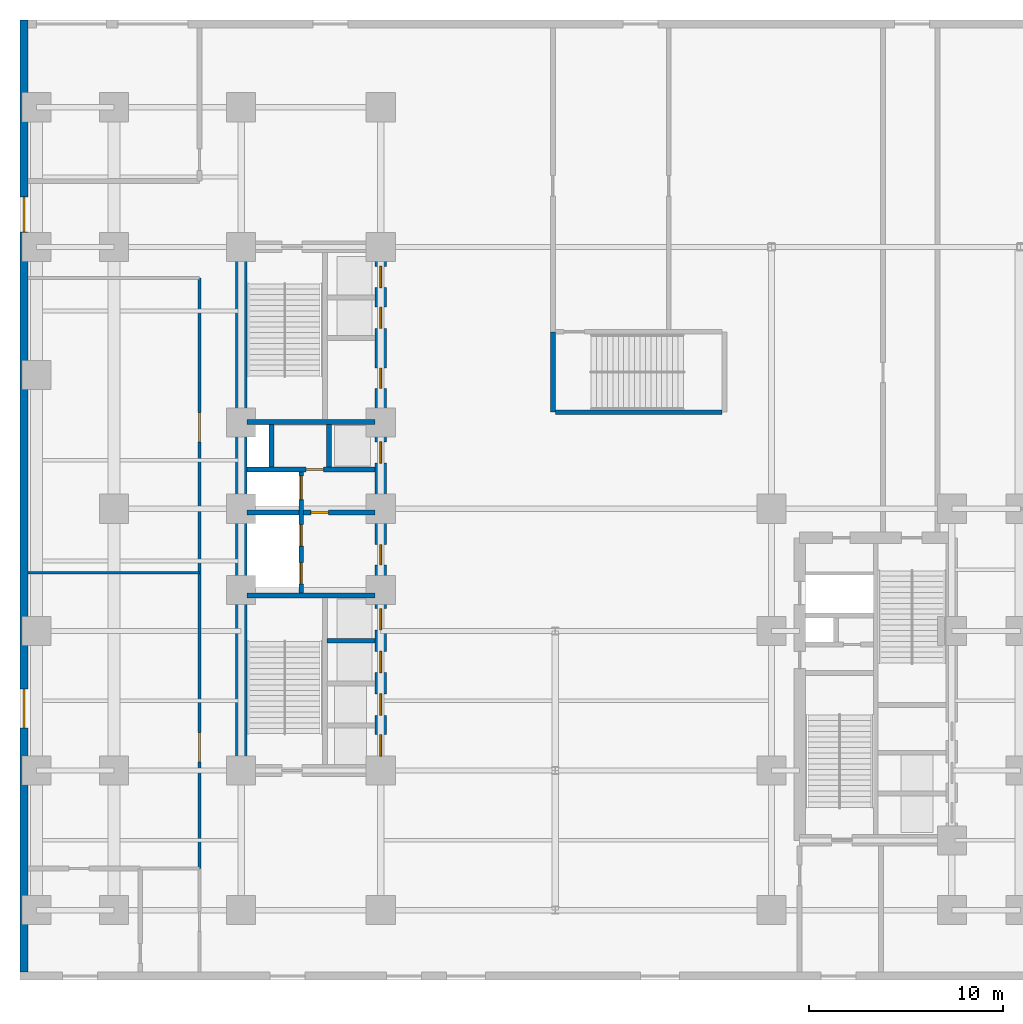
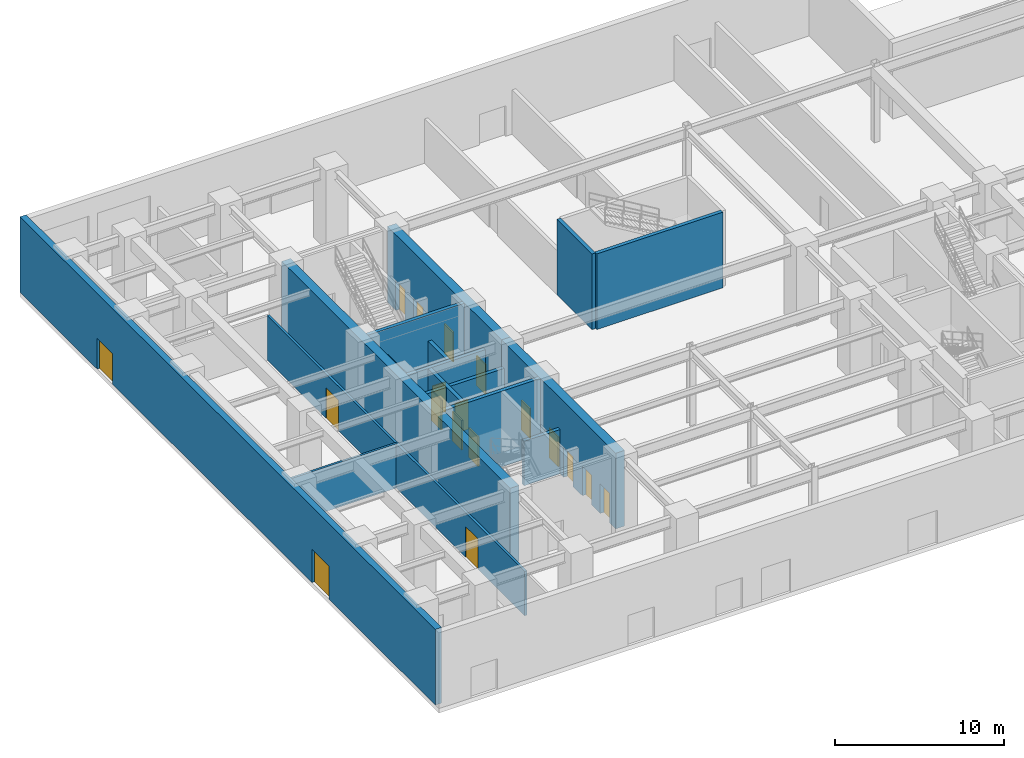
# One storey, part 10 of 18: 18 doors, 16 walls, 18 openings.
"""IFC4 building model written with IfcOpenShell, lengths in metres."""

from ifc_helpers import new_model, entity, si_unit, converted_unit, direction, frame, origin_with_axes, origin_2d_with_axis, place, context, subcontext, project, spatial, polyline, rectangle, outline, extrude, material, layer, layer_set, type_object, element, fill, save


model = new_model("IFC4")

# Units and contexts
model_context = context("Model", 3, precision=1e-05, world=origin_with_axes(), true_north=direction((0.0, 1.0)))
body_context = subcontext(model_context, "Body", "Model", "MODEL_VIEW")
ifc_project = project(units=[si_unit("LENGTHUNIT", "METRE"), si_unit("AREAUNIT", "SQUARE_METRE"), si_unit("VOLUMEUNIT", "CUBIC_METRE"), converted_unit("PLANEANGLEUNIT", "DEGREE", entity("IfcPlaneAngleMeasure", 0.017453292519943295), si_unit("PLANEANGLEUNIT", "RADIAN"), dimensions=[0, 0, 0, 0, 0, 0, 0]), si_unit("MASSUNIT", "GRAM", prefix="KILO"), si_unit("THERMODYNAMICTEMPERATUREUNIT", "KELVIN")], contexts=[model_context])

# Site, building, storey
site_placement = place(None, origin_with_axes())
site = spatial("IfcSite", under=ifc_project, at=site_placement, CompositionType="ELEMENT")
building_placement = place(site_placement, origin_with_axes())
building = spatial("IfcBuilding", under=site, at=building_placement, Name="Varnlund Millrace Tower", CompositionType="ELEMENT")
storey_placement = place(building_placement, origin_with_axes())
storey = spatial("IfcBuildingStorey", under=building, at=storey_placement, Name="L00", CompositionType="ELEMENT", Elevation=0.0)

# Wall
ifc_material_1 = material(Name="Concrete C80/95", Category="concrete")
ifc_layer_1 = layer(ifc_material_1, 0.6, Name="Concrete C80/95")
ifc_layer_set_1 = layer_set([ifc_layer_1], Name="Concrete C80/95")
wall_type_1 = type_object("IfcWallType", Name="Type-CoreWall-Shear-600-C80", PredefinedType="SHEAR", material=ifc_layer_set_1)
wall_1_placement = place(storey_placement, frame((11.4, 10.8, 0.0), z_axis=(0.0, 0.0, 1.0), x_axis=(0.0, 1.0, 0.0)))
element("IfcWall", 1, at=wall_1_placement, inside=storey, type_object=wall_type_1, Name="Type-CoreWall-Shear-600-C80", PredefinedType="SHEAR", context=body_context, shape_type="SweptSolid", body=[
    extrude(outline(polyline([(0.0, -0.3), (27.0, -0.3), (27.0, 0.3), (0.0, 0.3), (0.0, -0.3)])), origin_with_axes(), (0.0, 0.0, 1.0), 5.46),
])

# Wall, openings, doors
wall_2_placement = place(storey_placement, frame((18.6, 10.8, 0.0), z_axis=(0.0, 0.0, 1.0), x_axis=(0.0, 1.0, 0.0)))
wall_2 = element("IfcWall", 2, at=wall_2_placement, inside=storey, type_object=wall_type_1, Name="Type-CoreWall-Shear-600-C80", PredefinedType="SHEAR", context=body_context, shape_type="SweptSolid", body=[
    extrude(outline(polyline([(0.0, -0.3), (13.5, -0.3), (13.5, 0.3), (0.0, 0.3), (0.0, -0.3)])), origin_with_axes(), (0.0, 0.0, 1.0), 5.46),
])
opening_1_placement = place(wall_2_placement, frame((1.3, 0.0, 0.0), z_axis=(0.0, 0.0, 1.0), x_axis=(1.0, 0.0, 0.0)))
opening_1 = element("IfcOpeningElement", 3, at=opening_1_placement, cuts=wall_2, Name="Opening L00:LD-ELV-L1", PredefinedType="OPENING", context=body_context, shape_type="SweptSolid", body=[
    extrude(rectangle(XDim=1.1, YDim=0.62, at=origin_2d_with_axis()), origin_with_axes(), (0.0, 0.0, 1.0), 2.15),
])
opening_2_placement = place(wall_2_placement, frame((3.4, 0.0, 0.0), z_axis=(0.0, 0.0, 1.0), x_axis=(1.0, 0.0, 0.0)))
opening_2 = element("IfcOpeningElement", 4, at=opening_2_placement, cuts=wall_2, Name="Opening L00:LD-ELV-L2", PredefinedType="OPENING", context=body_context, shape_type="SweptSolid", body=[
    extrude(rectangle(XDim=1.1, YDim=0.62, at=origin_2d_with_axis()), origin_with_axes(), (0.0, 0.0, 1.0), 2.15),
])
opening_3_placement = place(wall_2_placement, frame((5.6, 0.0, 0.0), z_axis=(0.0, 0.0, 1.0), x_axis=(1.0, 0.0, 0.0)))
opening_3 = element("IfcOpeningElement", 5, at=opening_3_placement, cuts=wall_2, Name="Opening L00:LD-ELV-S1A", PredefinedType="OPENING", context=body_context, shape_type="SweptSolid", body=[
    extrude(rectangle(XDim=1.1, YDim=0.62, at=origin_2d_with_axis()), origin_with_axes(), (0.0, 0.0, 1.0), 2.15),
])
opening_4_placement = place(wall_2_placement, frame((7.8, 0.0, 0.0), z_axis=(0.0, 0.0, 1.0), x_axis=(1.0, 0.0, 0.0)))
opening_4 = element("IfcOpeningElement", 6, at=opening_4_placement, cuts=wall_2, Name="Opening L00:LD-ELV-S1B", PredefinedType="OPENING", context=body_context, shape_type="SweptSolid", body=[
    extrude(rectangle(XDim=1.1, YDim=0.62, at=origin_2d_with_axis()), origin_with_axes(), (0.0, 0.0, 1.0), 2.15),
])
opening_5_placement = place(wall_2_placement, frame((11.125, 0.0, 0.0), z_axis=(0.0, 0.0, 1.0), x_axis=(1.0, 0.0, 0.0)))
opening_5 = element("IfcOpeningElement", 7, at=opening_5_placement, cuts=wall_2, Name="Opening L00:DR-FFLOB-A", PredefinedType="OPENING", context=body_context, shape_type="SweptSolid", body=[
    extrude(rectangle(XDim=1.05, YDim=0.62, at=origin_2d_with_axis()), origin_with_axes(), (0.0, 0.0, 1.0), 2.15),
])
ifc_material_2 = material(Name="Smoke-barrier hollow steel fire door", Category="steel")
door_type_1 = type_object("IfcDoorType", Name="Type-FireDoor-Lobby-1050X2150", OperationType="NOTDEFINED", PredefinedType="DOOR", material=ifc_material_2)
door_1_placement = place(wall_2_placement, frame((11.125, 0.0, 0.0), z_axis=(0.0, 0.0, 1.0), x_axis=(1.0, 0.0, 0.0)))
door_1 = element("IfcDoor", 8, at=door_1_placement, inside=storey, type_object=door_type_1, Name="Type-FireDoor-Lobby-1050X2150", OperationType="SINGLE_SWING_LEFT", OverallHeight=2.15, OverallWidth=1.05, PredefinedType="DOOR", context=body_context, shape_type="SweptSolid", body=[
    extrude(rectangle(XDim=1.05, YDim=0.09, at=origin_2d_with_axis()), origin_with_axes(), (0.0, 0.0, 1.0), 2.15),
])
fill(opening_5, door_1)
ifc_material_3 = material(Name="Stainless and architectural bronze sliding landing door")
door_type_2 = type_object("IfcDoorType", Name="Type-LiftLandingDoor-1100X2150", OperationType="NOTDEFINED", PredefinedType="DOOR", material=ifc_material_3)
door_2_placement = place(wall_2_placement, frame((1.3, 0.0, 0.0), z_axis=(0.0, 0.0, 1.0), x_axis=(1.0, 0.0, 0.0)))
door_2 = element("IfcDoor", 9, at=door_2_placement, inside=storey, type_object=door_type_2, Name="Type-LiftLandingDoor-1100X2150", OperationType="SLIDING_TO_LEFT", OverallHeight=2.15, OverallWidth=1.1, PredefinedType="DOOR", context=body_context, shape_type="SweptSolid", body=[
    extrude(rectangle(XDim=1.1, YDim=0.09, at=origin_2d_with_axis()), origin_with_axes(), (0.0, 0.0, 1.0), 2.15),
])
fill(opening_1, door_2)
door_3_placement = place(wall_2_placement, frame((3.4, 0.0, 0.0), z_axis=(0.0, 0.0, 1.0), x_axis=(1.0, 0.0, 0.0)))
door_3 = element("IfcDoor", 10, at=door_3_placement, inside=storey, type_object=door_type_2, Name="Type-LiftLandingDoor-1100X2150", OperationType="SLIDING_TO_RIGHT", OverallHeight=2.15, OverallWidth=1.1, PredefinedType="DOOR", context=body_context, shape_type="SweptSolid", body=[
    extrude(rectangle(XDim=1.1, YDim=0.09, at=origin_2d_with_axis()), origin_with_axes(), (0.0, 0.0, 1.0), 2.15),
])
fill(opening_2, door_3)
door_4_placement = place(wall_2_placement, frame((5.6, 0.0, 0.0), z_axis=(0.0, 0.0, 1.0), x_axis=(1.0, 0.0, 0.0)))
door_4 = element("IfcDoor", 11, at=door_4_placement, inside=storey, type_object=door_type_2, Name="Type-LiftLandingDoor-1100X2150", OperationType="DOUBLE_DOOR_SLIDING", OverallHeight=2.15, OverallWidth=1.1, PredefinedType="DOOR", context=body_context, shape_type="SweptSolid", body=[
    extrude(rectangle(XDim=1.1, YDim=0.09, at=origin_2d_with_axis()), origin_with_axes(), (0.0, 0.0, 1.0), 2.15),
])
fill(opening_3, door_4)
door_5_placement = place(wall_2_placement, frame((7.8, 0.0, 0.0), z_axis=(0.0, 0.0, 1.0), x_axis=(1.0, 0.0, 0.0)))
door_5 = element("IfcDoor", 12, at=door_5_placement, inside=storey, type_object=door_type_2, Name="Type-LiftLandingDoor-1100X2150", OperationType="DOUBLE_DOOR_SLIDING", OverallHeight=2.15, OverallWidth=1.1, PredefinedType="DOOR", context=body_context, shape_type="SweptSolid", body=[
    extrude(rectangle(XDim=1.1, YDim=0.09, at=origin_2d_with_axis()), origin_with_axes(), (0.0, 0.0, 1.0), 2.15),
])
fill(opening_4, door_5)

wall_3_placement = place(storey_placement, frame((18.6, 24.3, 0.0), z_axis=(0.0, 0.0, 1.0), x_axis=(0.0, 1.0, 0.0)))
wall_3 = element("IfcWall", 13, at=wall_3_placement, inside=storey, type_object=wall_type_1, Name="Type-CoreWall-Shear-600-C80", PredefinedType="SHEAR", context=body_context, shape_type="SweptSolid", body=[
    extrude(outline(polyline([(0.0, -0.3), (13.5, -0.3), (13.5, 0.3), (0.0, 0.3), (0.0, -0.3)])), origin_with_axes(), (0.0, 0.0, 1.0), 5.46),
])
opening_6_placement = place(wall_3_placement, frame((9.85, 0.0, 0.0), z_axis=(0.0, 0.0, 1.0), x_axis=(1.0, 0.0, 0.0)))
opening_6 = element("IfcOpeningElement", 14, at=opening_6_placement, cuts=wall_3, Name="Opening L00:LD-ELV-S2A", PredefinedType="OPENING", context=body_context, shape_type="SweptSolid", body=[
    extrude(rectangle(XDim=1.1, YDim=0.62, at=origin_2d_with_axis()), origin_with_axes(), (0.0, 0.0, 1.0), 2.15),
])
opening_7_placement = place(wall_3_placement, frame((11.95, 0.0, 0.0), z_axis=(0.0, 0.0, 1.0), x_axis=(1.0, 0.0, 0.0)))
opening_7 = element("IfcOpeningElement", 15, at=opening_7_placement, cuts=wall_3, Name="Opening L00:LD-ELV-S2B", PredefinedType="OPENING", context=body_context, shape_type="SweptSolid", body=[
    extrude(rectangle(XDim=1.1, YDim=0.62, at=origin_2d_with_axis()), origin_with_axes(), (0.0, 0.0, 1.0), 2.15),
])
opening_8_placement = place(wall_3_placement, frame((2.9, 0.0, 0.0), z_axis=(0.0, 0.0, 1.0), x_axis=(1.0, 0.0, 0.0)))
opening_8 = element("IfcOpeningElement", 16, at=opening_8_placement, cuts=wall_3, Name="Opening L00:LD-ELV-OB1", PredefinedType="OPENING", context=body_context, shape_type="SweptSolid", body=[
    extrude(rectangle(XDim=1.1, YDim=0.62, at=origin_2d_with_axis()), origin_with_axes(), (0.0, 0.0, 1.0), 2.15),
])
opening_9_placement = place(wall_3_placement, frame((6.725, 0.0, 0.0), z_axis=(0.0, 0.0, 1.0), x_axis=(1.0, 0.0, 0.0)))
opening_9 = element("IfcOpeningElement", 17, at=opening_9_placement, cuts=wall_3, Name="Opening L00:DR-CA-WC1", PredefinedType="OPENING", context=body_context, shape_type="SweptSolid", body=[
    extrude(rectangle(XDim=1.05, YDim=0.62, at=origin_2d_with_axis()), origin_with_axes(), (0.0, 0.0, 1.0), 2.15),
])
door_6_placement = place(wall_3_placement, frame((6.725, 0.0, 0.0), z_axis=(0.0, 0.0, 1.0), x_axis=(1.0, 0.0, 0.0)))
door_6 = element("IfcDoor", 18, at=door_6_placement, inside=storey, type_object=door_type_1, Name="Type-FireDoor-Lobby-1050X2150", OperationType="SINGLE_SWING_LEFT", OverallHeight=2.15, OverallWidth=1.05, PredefinedType="DOOR", context=body_context, shape_type="SweptSolid", body=[
    extrude(rectangle(XDim=1.05, YDim=0.09, at=origin_2d_with_axis()), origin_with_axes(), (0.0, 0.0, 1.0), 2.15),
])
fill(opening_9, door_6)
door_7_placement = place(wall_3_placement, frame((9.85, 0.0, 0.0), z_axis=(0.0, 0.0, 1.0), x_axis=(1.0, 0.0, 0.0)))
door_7 = element("IfcDoor", 19, at=door_7_placement, inside=storey, type_object=door_type_2, Name="Type-LiftLandingDoor-1100X2150", OperationType="DOUBLE_DOOR_SLIDING", OverallHeight=2.15, OverallWidth=1.1, PredefinedType="DOOR", context=body_context, shape_type="SweptSolid", body=[
    extrude(rectangle(XDim=1.1, YDim=0.09, at=origin_2d_with_axis()), origin_with_axes(), (0.0, 0.0, 1.0), 2.15),
])
fill(opening_6, door_7)
door_8_placement = place(wall_3_placement, frame((11.95, 0.0, 0.0), z_axis=(0.0, 0.0, 1.0), x_axis=(1.0, 0.0, 0.0)))
door_8 = element("IfcDoor", 20, at=door_8_placement, inside=storey, type_object=door_type_2, Name="Type-LiftLandingDoor-1100X2150", OperationType="DOUBLE_DOOR_SLIDING", OverallHeight=2.15, OverallWidth=1.1, PredefinedType="DOOR", context=body_context, shape_type="SweptSolid", body=[
    extrude(rectangle(XDim=1.1, YDim=0.09, at=origin_2d_with_axis()), origin_with_axes(), (0.0, 0.0, 1.0), 2.15),
])
fill(opening_7, door_8)
door_9_placement = place(wall_3_placement, frame((2.9, 0.0, 0.0), z_axis=(0.0, 0.0, 1.0), x_axis=(1.0, 0.0, 0.0)))
door_9 = element("IfcDoor", 21, at=door_9_placement, inside=storey, type_object=door_type_2, Name="Type-LiftLandingDoor-1100X2150", OperationType="DOUBLE_DOOR_SLIDING", OverallHeight=2.15, OverallWidth=1.1, PredefinedType="DOOR", context=body_context, shape_type="SweptSolid", body=[
    extrude(rectangle(XDim=1.1, YDim=0.09, at=origin_2d_with_axis()), origin_with_axes(), (0.0, 0.0, 1.0), 2.15),
])
fill(opening_8, door_9)

ifc_material_4 = material(Name="Precast concrete C50/60", Category="concrete")
ifc_layer_2 = layer(ifc_material_4, 0.42, Name="Precast concrete C50/60")
ifc_layer_set_2 = layer_set([ifc_layer_2], Name="Precast concrete C50/60")
wall_type_2 = type_object("IfcWallType", Name="Type-ExtWall-Precast-Pier-420", PredefinedType="SOLIDWALL", material=ifc_layer_set_2)
wall_4_placement = place(storey_placement, frame((0.21, 0.42, 0.0), z_axis=(0.0, 0.0, 1.0), x_axis=(0.0, 1.0, 0.0)))
wall_4 = element("IfcWall", 22, at=wall_4_placement, inside=storey, type_object=wall_type_2, Name="Type-ExtWall-Precast-Pier-420", PredefinedType="SOLIDWALL", context=body_context, shape_type="SweptSolid", body=[
    extrude(outline(polyline([(0.0, -0.21), (49.08, -0.21), (49.08, 0.21), (0.0, 0.21), (0.0, -0.21)])), origin_with_axes(), (0.0, 0.0, 1.0), 5.46),
])
opening_10_placement = place(wall_4_placement, frame((39.06, 0.0, 0.0), z_axis=(0.0, 0.0, 1.0), x_axis=(1.0, 0.0, 0.0)))
opening_10 = element("IfcOpeningElement", 23, at=opening_10_placement, cuts=wall_4, Name="Opening L00:DR-EXT-W1", PredefinedType="OPENING", context=body_context, shape_type="SweptSolid", body=[
    extrude(rectangle(XDim=1.8, YDim=0.44, at=origin_2d_with_axis()), origin_with_axes(), (0.0, 0.0, 1.0), 2.2),
])
opening_11_placement = place(wall_4_placement, frame((13.58, 0.0, 0.0), z_axis=(0.0, 0.0, 1.0), x_axis=(1.0, 0.0, 0.0)))
opening_11 = element("IfcOpeningElement", 24, at=opening_11_placement, cuts=wall_4, Name="Opening L00:DR-RET-W1", PredefinedType="OPENING", context=body_context, shape_type="SweptSolid", body=[
    extrude(rectangle(XDim=2.0, YDim=0.44, at=origin_2d_with_axis()), origin_with_axes(), (0.0, 0.0, 1.0), 2.4),
])
ifc_material_5 = material(Name="Thermally broken architectural bronze and insulated glass door", Category="glass")
door_type_3 = type_object("IfcDoorType", Name="Type-ExtDoor-Concourse-2000X2400", OperationType="NOTDEFINED", PredefinedType="DOOR", material=ifc_material_5)
door_10_placement = place(wall_4_placement, frame((13.58, 0.0, 0.0), z_axis=(0.0, 0.0, 1.0), x_axis=(1.0, 0.0, 0.0)))
door_10 = element("IfcDoor", 25, at=door_10_placement, inside=storey, type_object=door_type_3, Name="Type-ExtDoor-Concourse-2000X2400", OperationType="DOUBLE_DOOR_SINGLE_SWING", OverallHeight=2.4, OverallWidth=2.0, PredefinedType="DOOR", context=body_context, shape_type="SweptSolid", body=[
    extrude(rectangle(XDim=2.0, YDim=0.09, at=origin_2d_with_axis()), origin_with_axes(), (0.0, 0.0, 1.0), 2.4),
])
fill(opening_11, door_10)
door_type_4 = type_object("IfcDoorType", Name="Type-ExtDoor-ExitPair-1800X2200", OperationType="NOTDEFINED", PredefinedType="DOOR", material=ifc_material_5)
door_11_placement = place(wall_4_placement, frame((39.06, 0.0, 0.0), z_axis=(0.0, 0.0, 1.0), x_axis=(1.0, 0.0, 0.0)))
door_11 = element("IfcDoor", 26, at=door_11_placement, inside=storey, type_object=door_type_4, Name="Type-ExtDoor-ExitPair-1800X2200", OperationType="DOUBLE_DOOR_SINGLE_SWING", OverallHeight=2.2, OverallWidth=1.8, PredefinedType="DOOR", context=body_context, shape_type="SweptSolid", body=[
    extrude(rectangle(XDim=1.8, YDim=0.09, at=origin_2d_with_axis()), origin_with_axes(), (0.0, 0.0, 1.0), 2.2),
])
fill(opening_10, door_11)

ifc_material_6 = material(Name="Fire-rated gypsum board on cold-formed steel framing", Category="steel")
ifc_layer_3 = layer(ifc_material_6, 0.16, Name="Fire-rated gypsum board on cold-formed steel framing")
ifc_layer_set_3 = layer_set([ifc_layer_3], Name="Fire-rated gypsum board on cold-formed steel framing")
wall_type_3 = type_object("IfcWallType", Name="Type-Partition-Corridor-160", PredefinedType="PARTITIONING", material=ifc_layer_set_3)
wall_5_placement = place(storey_placement, frame((9.25, 5.75, 0.0), z_axis=(0.0, 0.0, 1.0), x_axis=(0.0, 1.0, 0.0)))
wall_5 = element("IfcWall", 27, at=wall_5_placement, inside=storey, type_object=wall_type_3, Name="Type-Partition-Corridor-160", PredefinedType="PARTITIONING", context=body_context, shape_type="SweptSolid", body=[
    extrude(outline(polyline([(0.0, -0.08), (30.45, -0.08), (30.45, 0.08), (0.0, 0.08), (0.0, -0.08)])), origin_with_axes(), (0.0, 0.0, 1.0), 3.2),
])
opening_12_placement = place(wall_5_placement, frame((6.25, 0.0, 0.0), z_axis=(0.0, 0.0, 1.0), x_axis=(1.0, 0.0, 0.0)))
opening_12 = element("IfcOpeningElement", 28, at=opening_12_placement, cuts=wall_5, Name="Opening L00:DR-RET-1", PredefinedType="OPENING", context=body_context, shape_type="SweptSolid", body=[
    extrude(rectangle(XDim=1.5, YDim=0.18, at=origin_2d_with_axis()), origin_with_axes(), (0.0, 0.0, 1.0), 2.2),
])
opening_13_placement = place(wall_5_placement, frame((22.75, 0.0, 0.0), z_axis=(0.0, 0.0, 1.0), x_axis=(1.0, 0.0, 0.0)))
opening_13 = element("IfcOpeningElement", 29, at=opening_13_placement, cuts=wall_5, Name="Opening L00:DR-RET-2", PredefinedType="OPENING", context=body_context, shape_type="SweptSolid", body=[
    extrude(rectangle(XDim=1.5, YDim=0.18, at=origin_2d_with_axis()), origin_with_axes(), (0.0, 0.0, 1.0), 2.2),
])
ifc_material_7 = material(Name="Architectural bronze and acoustic glass double door", Category="glass")
door_type_5 = type_object("IfcDoorType", Name="Type-IntDoor-SuitePair-1500X2200", OperationType="NOTDEFINED", PredefinedType="DOOR", material=ifc_material_7)
door_12_placement = place(wall_5_placement, frame((6.25, 0.0, 0.0), z_axis=(0.0, 0.0, 1.0), x_axis=(1.0, 0.0, 0.0)))
door_12 = element("IfcDoor", 30, at=door_12_placement, inside=storey, type_object=door_type_5, Name="Type-IntDoor-SuitePair-1500X2200", OperationType="DOUBLE_DOOR_SINGLE_SWING", OverallHeight=2.2, OverallWidth=1.5, PredefinedType="DOOR", context=body_context, shape_type="SweptSolid", body=[
    extrude(rectangle(XDim=1.5, YDim=0.09, at=origin_2d_with_axis()), origin_with_axes(), (0.0, 0.0, 1.0), 2.2),
])
fill(opening_12, door_12)
door_13_placement = place(wall_5_placement, frame((22.75, 0.0, 0.0), z_axis=(0.0, 0.0, 1.0), x_axis=(1.0, 0.0, 0.0)))
door_13 = element("IfcDoor", 31, at=door_13_placement, inside=storey, type_object=door_type_5, Name="Type-IntDoor-SuitePair-1500X2200", OperationType="DOUBLE_DOOR_SINGLE_SWING", OverallHeight=2.2, OverallWidth=1.5, PredefinedType="DOOR", context=body_context, shape_type="SweptSolid", body=[
    extrude(rectangle(XDim=1.5, YDim=0.09, at=origin_2d_with_axis()), origin_with_axes(), (0.0, 0.0, 1.0), 2.2),
])
fill(opening_13, door_13)

# Wall
ifc_material_8 = material(Name="Acoustic STC-50 gypsum board partition", Category="gypsum")
ifc_layer_4 = layer(ifc_material_8, 0.15, Name="Acoustic STC-50 gypsum board partition")
ifc_layer_set_4 = layer_set([ifc_layer_4], Name="Acoustic STC-50 gypsum board partition")
wall_type_4 = type_object("IfcWallType", Name="Type-Partition-Demising-150", PredefinedType="PARTITIONING", material=ifc_layer_set_4)
wall_6_placement = place(storey_placement, frame((0.42, 21.0, 0.0), z_axis=(0.0, 0.0, 1.0), x_axis=(1.0, 0.0, 0.0)))
element("IfcWall", 32, at=wall_6_placement, inside=storey, type_object=wall_type_4, Name="Type-Partition-Demising-150", PredefinedType="PARTITIONING", context=body_context, shape_type="SweptSolid", body=[
    extrude(outline(polyline([(0.0, -0.075), (8.83, -0.075), (8.83, 0.075), (0.0, 0.075), (0.0, -0.075)])), origin_with_axes(), (0.0, 0.0, 1.0), 3.2),
])

# Wall, openings, doors
ifc_material_9 = material(Name="Concrete C60/75", Category="concrete")
ifc_layer_5 = layer(ifc_material_9, 0.25, Name="Concrete C60/75")
ifc_layer_set_5 = layer_set([ifc_layer_5], Name="Concrete C60/75")
wall_type_5 = type_object("IfcWallType", Name="Type-ShaftWall-Fire-250", PredefinedType="SOLIDWALL", material=ifc_layer_set_5)
wall_7_placement = place(storey_placement, frame((14.5, 19.95, 0.0), z_axis=(0.0, 0.0, 1.0), x_axis=(0.0, 1.0, 0.0)))
wall_7 = element("IfcWall", 33, at=wall_7_placement, inside=storey, type_object=wall_type_5, Name="Type-ShaftWall-Fire-250", PredefinedType="SOLIDWALL", context=body_context, shape_type="SweptSolid", body=[
    extrude(outline(polyline([(0.0, -0.125), (6.25, -0.125), (6.25, 0.125), (0.0, 0.125), (0.0, -0.125)])), origin_with_axes(), (0.0, 0.0, 1.0), 3.6),
])
opening_14_placement = place(wall_7_placement, frame((1.025, 0.0, 0.0), z_axis=(0.0, 0.0, 1.0), x_axis=(1.0, 0.0, 0.0)))
opening_14 = element("IfcOpeningElement", 34, at=opening_14_placement, cuts=wall_7, Name="Opening L00:LD-FSAE1", PredefinedType="OPENING", context=body_context, shape_type="SweptSolid", body=[
    extrude(rectangle(XDim=1.1, YDim=0.27, at=origin_2d_with_axis()), origin_with_axes(), (0.0, 0.0, 1.0), 2.15),
])
opening_15_placement = place(wall_7_placement, frame((2.975, 0.0, 0.0), z_axis=(0.0, 0.0, 1.0), x_axis=(1.0, 0.0, 0.0)))
opening_15 = element("IfcOpeningElement", 35, at=opening_15_placement, cuts=wall_7, Name="Opening L00:LD-FSAE2", PredefinedType="OPENING", context=body_context, shape_type="SweptSolid", body=[
    extrude(rectangle(XDim=1.1, YDim=0.27, at=origin_2d_with_axis()), origin_with_axes(), (0.0, 0.0, 1.0), 2.15),
])
opening_16_placement = place(wall_7_placement, frame((5.425, 0.0, 0.0), z_axis=(0.0, 0.0, 1.0), x_axis=(1.0, 0.0, 0.0)))
opening_16 = element("IfcOpeningElement", 36, at=opening_16_placement, cuts=wall_7, Name="Opening L00:LD-SRV1", PredefinedType="OPENING", context=body_context, shape_type="SweptSolid", body=[
    extrude(rectangle(XDim=1.2, YDim=0.27, at=origin_2d_with_axis()), origin_with_axes(), (0.0, 0.0, 1.0), 2.15),
])
door_14_placement = place(wall_7_placement, frame((1.025, 0.0, 0.0), z_axis=(0.0, 0.0, 1.0), x_axis=(1.0, 0.0, 0.0)))
door_14 = element("IfcDoor", 37, at=door_14_placement, inside=storey, type_object=door_type_2, Name="Type-LiftLandingDoor-1100X2150", OperationType="SLIDING_TO_LEFT", OverallHeight=2.15, OverallWidth=1.1, PredefinedType="DOOR", context=body_context, shape_type="SweptSolid", body=[
    extrude(rectangle(XDim=1.1, YDim=0.09, at=origin_2d_with_axis()), origin_with_axes(), (0.0, 0.0, 1.0), 2.15),
])
fill(opening_14, door_14)
door_15_placement = place(wall_7_placement, frame((2.975, 0.0, 0.0), z_axis=(0.0, 0.0, 1.0), x_axis=(1.0, 0.0, 0.0)))
door_15 = element("IfcDoor", 38, at=door_15_placement, inside=storey, type_object=door_type_2, Name="Type-LiftLandingDoor-1100X2150", OperationType="SLIDING_TO_RIGHT", OverallHeight=2.15, OverallWidth=1.1, PredefinedType="DOOR", context=body_context, shape_type="SweptSolid", body=[
    extrude(rectangle(XDim=1.1, YDim=0.09, at=origin_2d_with_axis()), origin_with_axes(), (0.0, 0.0, 1.0), 2.15),
])
fill(opening_15, door_15)
ifc_material_10 = material(Name="Heavy-duty freight sliding landing door")
door_type_6 = type_object("IfcDoorType", Name="Type-LiftLandingDoor-Service-1200X2150", OperationType="NOTDEFINED", PredefinedType="DOOR", material=ifc_material_10)
door_16_placement = place(wall_7_placement, frame((5.425, 0.0, 0.0), z_axis=(0.0, 0.0, 1.0), x_axis=(1.0, 0.0, 0.0)))
door_16 = element("IfcDoor", 39, at=door_16_placement, inside=storey, type_object=door_type_6, Name="Type-LiftLandingDoor-Service-1200X2150", OperationType="DOUBLE_DOOR_SLIDING", OverallHeight=2.15, OverallWidth=1.2, PredefinedType="DOOR", context=body_context, shape_type="SweptSolid", body=[
    extrude(rectangle(XDim=1.2, YDim=0.09, at=origin_2d_with_axis()), origin_with_axes(), (0.0, 0.0, 1.0), 2.15),
])
fill(opening_16, door_16)

# Wall, opening, door
wall_8_placement = place(storey_placement, frame((11.7, 24.1, 0.0), z_axis=(0.0, 0.0, 1.0), x_axis=(1.0, 0.0, 0.0)))
wall_8 = element("IfcWall", 40, at=wall_8_placement, inside=storey, type_object=wall_type_5, Name="Type-ShaftWall-Fire-250", PredefinedType="SOLIDWALL", context=body_context, shape_type="SweptSolid", body=[
    extrude(outline(polyline([(0.0, -0.125), (6.6, -0.125), (6.6, 0.125), (0.0, 0.125), (0.0, -0.125)])), origin_with_axes(), (0.0, 0.0, 1.0), 3.6),
])
opening_17_placement = place(wall_8_placement, frame((3.75, 0.0, 0.0), z_axis=(0.0, 0.0, 1.0), x_axis=(1.0, 0.0, 0.0)))
opening_17 = element("IfcOpeningElement", 41, at=opening_17_placement, cuts=wall_8, Name="Opening L00:DR-CA-SRV1", PredefinedType="OPENING", context=body_context, shape_type="SweptSolid", body=[
    extrude(rectangle(XDim=0.9, YDim=0.27, at=origin_2d_with_axis()), origin_with_axes(), (0.0, 0.0, 1.0), 2.15),
])
ifc_material_11 = material(Name="Fire-rated hollow steel service closet door", Category="steel")
door_type_7 = type_object("IfcDoorType", Name="Type-FireDoor-Closet-900X2150", OperationType="NOTDEFINED", PredefinedType="DOOR", material=ifc_material_11)
door_17_placement = place(wall_8_placement, frame((3.75, 0.0, 0.0), z_axis=(0.0, 0.0, 1.0), x_axis=(1.0, 0.0, 0.0)))
door_17 = element("IfcDoor", 42, at=door_17_placement, inside=storey, type_object=door_type_7, Name="Type-FireDoor-Closet-900X2150", OperationType="SINGLE_SWING_LEFT", OverallHeight=2.15, OverallWidth=0.9, PredefinedType="DOOR", context=body_context, shape_type="SweptSolid", body=[
    extrude(rectangle(XDim=0.9, YDim=0.09, at=origin_2d_with_axis()), origin_with_axes(), (0.0, 0.0, 1.0), 2.15),
])
fill(opening_17, door_17)

wall_9_placement = place(storey_placement, frame((11.7, 26.325, 0.0), z_axis=(0.0, 0.0, 1.0), x_axis=(1.0, 0.0, 0.0)))
wall_9 = element("IfcWall", 43, at=wall_9_placement, inside=storey, type_object=wall_type_5, Name="Type-ShaftWall-Fire-250", PredefinedType="SOLIDWALL", context=body_context, shape_type="SweptSolid", body=[
    extrude(outline(polyline([(0.0, -0.125), (6.6, -0.125), (6.6, 0.125), (0.0, 0.125), (0.0, -0.125)])), origin_with_axes(), (0.0, 0.0, 1.0), 3.6),
])
opening_18_placement = place(wall_9_placement, frame((3.5, 0.0, 0.0), z_axis=(0.0, 0.0, 1.0), x_axis=(1.0, 0.0, 0.0)))
opening_18 = element("IfcOpeningElement", 44, at=opening_18_placement, cuts=wall_9, Name="Opening L00:DR-CA-ELC", PredefinedType="OPENING", context=body_context, shape_type="SweptSolid", body=[
    extrude(rectangle(XDim=0.9, YDim=0.27, at=origin_2d_with_axis()), origin_with_axes(), (0.0, 0.0, 1.0), 2.15),
])
door_18_placement = place(wall_9_placement, frame((3.5, 0.0, 0.0), z_axis=(0.0, 0.0, 1.0), x_axis=(1.0, 0.0, 0.0)))
door_18 = element("IfcDoor", 45, at=door_18_placement, inside=storey, type_object=door_type_7, Name="Type-FireDoor-Closet-900X2150", OperationType="SINGLE_SWING_LEFT", OverallHeight=2.15, OverallWidth=0.9, PredefinedType="DOOR", context=body_context, shape_type="SweptSolid", body=[
    extrude(rectangle(XDim=0.9, YDim=0.09, at=origin_2d_with_axis()), origin_with_axes(), (0.0, 0.0, 1.0), 2.15),
])
fill(opening_18, door_18)

# Walls
for number, where, z_axis, x_axis, name in (
    (46, (12.96, 26.45, 0.0), (0.0, 0.0, 1.0), (0.0, 1.0, 0.0), "Type-ShaftWall-Fire-250"),
    (47, (15.925, 26.45, 0.0), (0.0, 0.0, 1.0), (0.0, 1.0, 0.0), "Type-ShaftWall-Fire-250"),
):
    element("IfcWall", number, at=place(storey_placement, frame(where, z_axis=z_axis, x_axis=x_axis)), inside=storey, type_object=wall_type_5, Name=name, PredefinedType="SOLIDWALL", context=body_context, shape_type="SweptSolid", body=[
        extrude(outline(polyline([(0.0, -0.125), (2.2, -0.125), (2.2, 0.125), (0.0, 0.125), (0.0, -0.125)])), origin_with_axes(), (0.0, 0.0, 1.0), 3.6),
    ])
wall_10_placement = place(storey_placement, frame((15.84, 17.49, 0.0), z_axis=(0.0, 0.0, 1.0), x_axis=(1.0, 0.0, 0.0)))
element("IfcWall", 48, at=wall_10_placement, inside=storey, type_object=wall_type_5, Name="Type-ShaftWall-Fire-250", PredefinedType="SOLIDWALL", context=body_context, shape_type="SweptSolid", body=[
    extrude(outline(polyline([(0.0, -0.125), (2.46, -0.125), (2.46, 0.125), (0.0, 0.125), (0.0, -0.125)])), origin_with_axes(), (0.0, 0.0, 1.0), 3.2),
])
wall_type_6 = type_object("IfcWallType", Name="Type-StairWall-Shear-250", PredefinedType="SHEAR", material=ifc_layer_set_5)
for number, where, z_axis, x_axis, name in (
    (49, (11.7, 19.825, 0.0), (0.0, 0.0, 1.0), (1.0, 0.0, 0.0), "Type-StairWall-Shear-250"),
    (50, (11.7, 28.775, 0.0), (0.0, 0.0, 1.0), (1.0, 0.0, 0.0), "Type-StairWall-Shear-250"),
):
    element("IfcWall", number, at=place(storey_placement, frame(where, z_axis=z_axis, x_axis=x_axis)), inside=storey, type_object=wall_type_6, Name=name, PredefinedType="SHEAR", context=body_context, shape_type="SweptSolid", body=[
        extrude(outline(polyline([(0.0, -0.125), (6.6, -0.125), (6.6, 0.125), (0.0, 0.125), (0.0, -0.125)])), origin_with_axes(), (0.0, 0.0, 1.0), 5.46),
    ])
wall_11_placement = place(storey_placement, frame((27.475, 29.275, 0.0), z_axis=(0.0, 0.0, 1.0), x_axis=(0.0, 1.0, 0.0)))
element("IfcWall", 51, at=wall_11_placement, inside=storey, type_object=wall_type_6, Name="Type-StairWall-Shear-250", PredefinedType="SHEAR", context=body_context, shape_type="SweptSolid", body=[
    extrude(outline(polyline([(0.0, -0.125), (4.15, -0.125), (4.15, 0.125), (0.0, 0.125), (0.0, -0.125)])), origin_with_axes(), (0.0, 0.0, 1.0), 5.46),
])
wall_12_placement = place(storey_placement, frame((27.6, 29.275, 0.0), z_axis=(0.0, 0.0, 1.0), x_axis=(1.0, 0.0, 0.0)))
element("IfcWall", 52, at=wall_12_placement, inside=storey, type_object=wall_type_6, Name="Type-StairWall-Shear-250", PredefinedType="SHEAR", context=body_context, shape_type="SweptSolid", body=[
    extrude(outline(polyline([(0.0, -0.125), (8.6, -0.125), (8.6, 0.125), (0.0, 0.125), (0.0, -0.125)])), origin_with_axes(), (0.0, 0.0, 1.0), 5.46),
])

save(model, "model.ifc")
